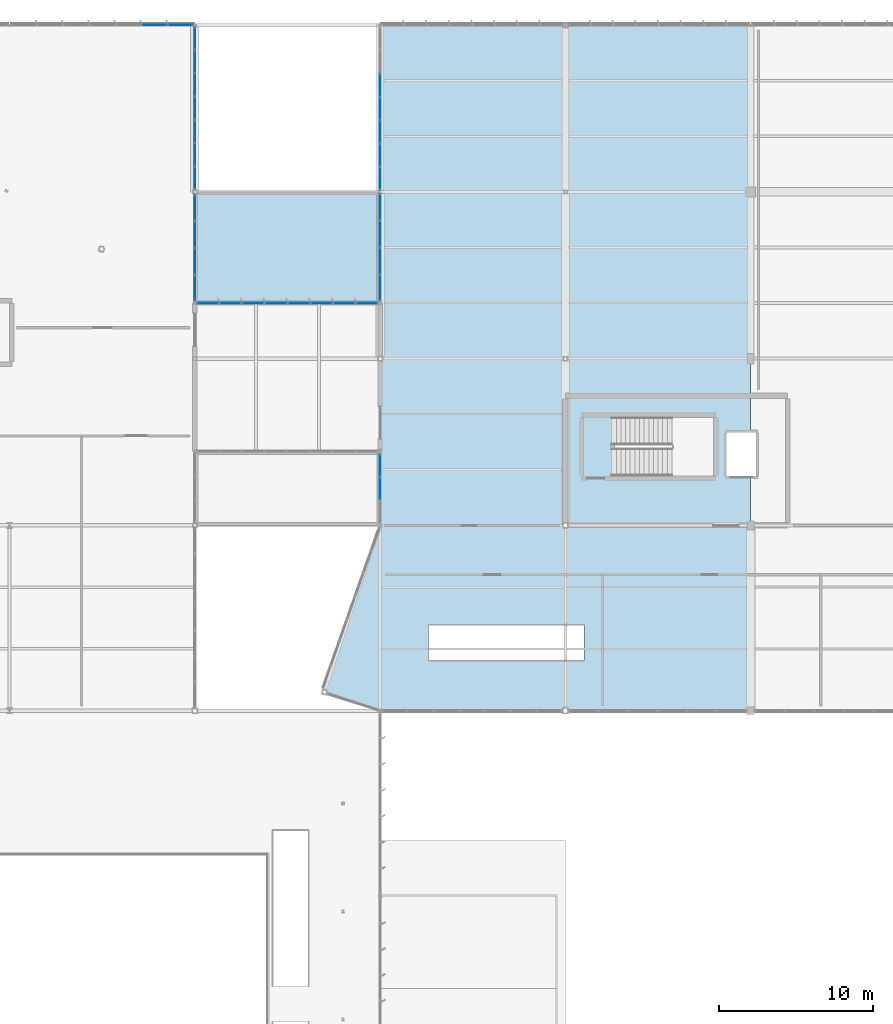
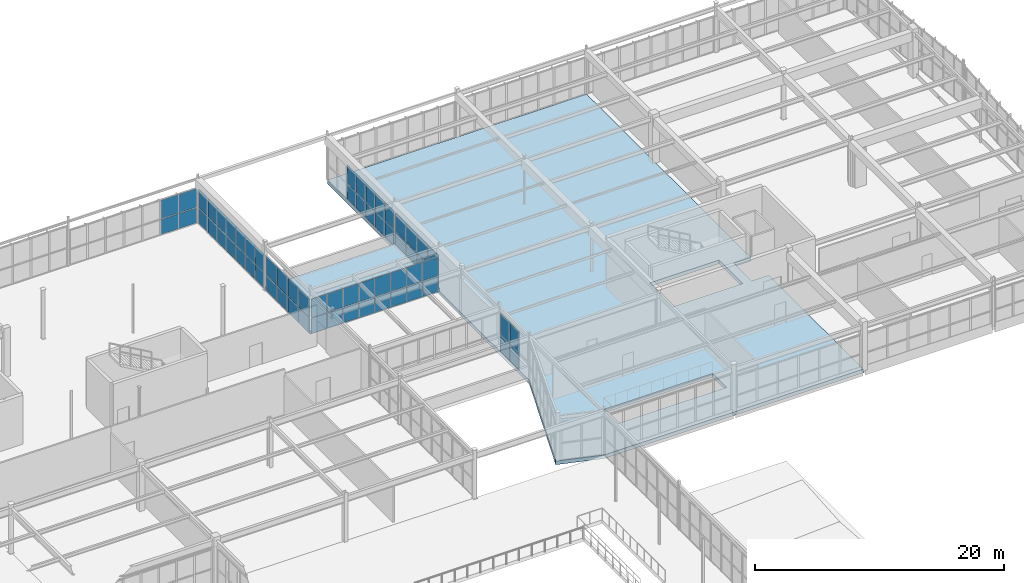
# One storey, part 150 of 226: 64 plates, 2 slabs, 7 elements without a shape of their own.
"""IFC4 building model written with IfcOpenShell, lengths in metres."""

from ifc_helpers import new_model, si_unit, direction, frame, origin, origin_2d, place, context, subcontext, project, spatial, polyline, rectangle, outline, extrude, material, layer, layer_set, type_object, element, aggregate, save


model = new_model("IFC4")

# Units and contexts
model_context = context("Model", 3, precision=1e-05, world=origin(), true_north=direction((0.0, 1.0)))
body_context = subcontext(model_context, "Body", "Model", "MODEL_VIEW")
ifc_project = project(units=[si_unit("LENGTHUNIT", "METRE"), si_unit("AREAUNIT", "SQUARE_METRE"), si_unit("VOLUMEUNIT", "CUBIC_METRE"), si_unit("PLANEANGLEUNIT", "RADIAN"), si_unit("MASSUNIT", "GRAM", prefix="KILO")], contexts=[model_context])

# Site, building, storey
site_placement = place(None, origin())
site = spatial("IfcSite", under=ifc_project, at=site_placement, CompositionType="ELEMENT")
building_placement = place(site_placement, origin())
building = spatial("IfcBuilding", under=site, at=building_placement, Name="Tarnwether General Hospital", CompositionType="ELEMENT")
storey_placement = place(building_placement, frame((0.0, 0.0, 4.800048828125)))
storey = spatial("IfcBuildingStorey", under=building, at=storey_placement, Name="L01", CompositionType="ELEMENT", Elevation=4.800048828125)

# Curtain wall, plates
ifc_material_1 = material(Name="Anodised aluminium", Category="aluminium")
ifc_layer_1 = layer(ifc_material_1, 0.159912109375)
ifc_layer_set_1 = layer_set([ifc_layer_1], Name="Anodised aluminium")
curtain_wall_type_1 = type_object("IfcCurtainWallType", Name="CW-14", PredefinedType="NOTDEFINED", material=ifc_layer_set_1)
curtain_wall_1_placement = place(storey_placement, origin())
curtain_wall_1 = element("IfcCurtainWall", 1, at=curtain_wall_1_placement, inside=storey, type_object=curtain_wall_type_1, Name="Curtain Wall CWG-L01-1201_1260-0328", PredefinedType="NOTDEFINED")
ifc_material_2 = material(Name="Double glazed low-E glass", Category="glass")
ifc_layer_2 = layer(ifc_material_2, 0.028076171875)
ifc_layer_set_2 = layer_set([ifc_layer_2], Name="Double glazed low-E glass")
plate_type = type_object("IfcPlateType", Name="PT-CWP1", PredefinedType="CURTAIN_PANEL", material=ifc_layer_set_2)
plate_1_placement = place(storey_placement, frame((129.377685546875, 126.0, 0.059814453125), z_axis=(0.0, 0.0, 1.0), x_axis=(1.0, 0.0, 0.0)))
plate_1 = element("IfcPlate", 2, at=plate_1_placement, type_object=plate_type, Name="CW-14 panel 6.1", PredefinedType="CURTAIN_PANEL", context=body_context, shape_type="SweptSolid", body=[
    extrude(rectangle(XDim=1.632080078125, YDim=0.028076171875, at=origin_2d()), origin(), (0.0, 0.0, 1.0), 1.47607421875),
])
plate_2_placement = place(storey_placement, frame((129.377685546875, 126.0, 1.59619140625), z_axis=(0.0, 0.0, 1.0), x_axis=(1.0, 0.0, 0.0)))
plate_2 = element("IfcPlate", 3, at=plate_2_placement, type_object=plate_type, Name="CW-14 panel 6.2", PredefinedType="CURTAIN_PANEL", context=body_context, shape_type="SweptSolid", body=[
    extrude(rectangle(XDim=1.632080078125, YDim=0.028076171875, at=origin_2d()), origin(), (0.0, 0.0, 1.0), 1.823974609375),
])
plate_3_placement = place(storey_placement, frame((131.054931640625, 126.0, 0.059814453125), z_axis=(0.0, 0.0, 1.0), x_axis=(1.0, 0.0, 0.0)))
plate_3 = element("IfcPlate", 4, at=plate_3_placement, type_object=plate_type, Name="CW-14 panel 7.1", PredefinedType="CURTAIN_PANEL", context=body_context, shape_type="SweptSolid", body=[
    extrude(rectangle(XDim=1.60205078125, YDim=0.028076171875, at=origin_2d()), origin(), (0.0, 0.0, 1.0), 1.47607421875),
])
plate_4_placement = place(storey_placement, frame((131.054931640625, 126.0, 1.59619140625), z_axis=(0.0, 0.0, 1.0), x_axis=(1.0, 0.0, 0.0)))
plate_4 = element("IfcPlate", 5, at=plate_4_placement, type_object=plate_type, Name="CW-14 panel 7.2", PredefinedType="CURTAIN_PANEL", context=body_context, shape_type="SweptSolid", body=[
    extrude(rectangle(XDim=1.60205078125, YDim=0.028076171875, at=origin_2d()), origin(), (0.0, 0.0, 1.0), 1.823974609375),
])
aggregate(curtain_wall_1, [plate_1, plate_2, plate_3, plate_4])

ifc_material_3 = material(Name="Anodised aluminium", Category="aluminium")
ifc_layer_3 = layer(ifc_material_3, 0.159912109375)
ifc_layer_set_3 = layer_set([ifc_layer_3], Name="Anodised aluminium")
curtain_wall_type_2 = type_object("IfcCurtainWallType", Name="CW-15", PredefinedType="NOTDEFINED", material=ifc_layer_set_3)
curtain_wall_2_placement = place(storey_placement, origin())
curtain_wall_2 = element("IfcCurtainWall", 6, at=curtain_wall_2_placement, inside=storey, type_object=curtain_wall_type_2, Name="Curtain Wall CWG-L01-1440_937-0374", PredefinedType="NOTDEFINED")
plate_5_placement = place(storey_placement, frame((144.0, 95.985107421875, 0.06005859375), z_axis=(0.0, 0.0, 1.0), x_axis=(0.0, 1.0, 0.0)))
plate_5 = element("IfcPlate", 7, at=plate_5_placement, type_object=plate_type, Name="CW-15 panel 2.1", PredefinedType="CURTAIN_PANEL", context=body_context, shape_type="SweptSolid", body=[
    extrude(rectangle(XDim=1.4599609375, YDim=0.028076171875, at=origin_2d()), origin(), (0.0, 0.0, 1.0), 1.628173828125),
])
plate_6_placement = place(storey_placement, frame((144.0, 95.985107421875, 1.748046875), z_axis=(0.0, 0.0, 1.0), x_axis=(0.0, 1.0, 0.0)))
plate_6 = element("IfcPlate", 8, at=plate_6_placement, type_object=plate_type, Name="CW-15 panel 2.2", PredefinedType="CURTAIN_PANEL", context=body_context, shape_type="SweptSolid", body=[
    extrude(rectangle(XDim=1.4599609375, YDim=0.028076171875, at=origin_2d()), origin(), (0.0, 0.0, 1.0), 2.010009765625),
])
plate_7_placement = place(storey_placement, frame((144.0, 97.489990234375, 0.06005859375), z_axis=(0.0, 0.0, 1.0), x_axis=(0.0, 1.0, 0.0)))
plate_7 = element("IfcPlate", 9, at=plate_7_placement, type_object=plate_type, Name="CW-15 panel 3.1", PredefinedType="CURTAIN_PANEL", context=body_context, shape_type="SweptSolid", body=[
    extrude(rectangle(XDim=1.429931640625, YDim=0.028076171875, at=origin_2d()), origin(), (0.0, 0.0, 1.0), 1.628173828125),
])
plate_8_placement = place(storey_placement, frame((144.0, 97.489990234375, 1.748046875), z_axis=(0.0, 0.0, 1.0), x_axis=(0.0, 1.0, 0.0)))
plate_8 = element("IfcPlate", 10, at=plate_8_placement, type_object=plate_type, Name="CW-15 panel 3.2", PredefinedType="CURTAIN_PANEL", context=body_context, shape_type="SweptSolid", body=[
    extrude(rectangle(XDim=1.429931640625, YDim=0.028076171875, at=origin_2d()), origin(), (0.0, 0.0, 1.0), 2.010009765625),
])
aggregate(curtain_wall_2, [plate_5, plate_6, plate_7, plate_8])

curtain_wall_3_placement = place(storey_placement, origin())
curtain_wall_3 = element("IfcCurtainWall", 11, at=curtain_wall_3_placement, inside=storey, type_object=curtain_wall_type_2, Name="Curtain Wall CWG-L01-1320_1259-0375", PredefinedType="NOTDEFINED")
plate_9_placement = place(storey_placement, frame((132.0, 125.14501953125, 0.059814453125), z_axis=(0.0, 0.0, 1.0), x_axis=(0.0, -1.0, 0.0)))
plate_9 = element("IfcPlate", 12, at=plate_9_placement, type_object=plate_type, Name="CW-15 panel 1.1", PredefinedType="CURTAIN_PANEL", context=body_context, shape_type="SweptSolid", body=[
    extrude(rectangle(XDim=1.421875, YDim=0.028076171875, at=origin_2d()), origin(), (0.0, 0.0, 1.0), 1.47607421875),
])
plate_10_placement = place(storey_placement, frame((132.0, 125.14501953125, 1.59619140625), z_axis=(0.0, 0.0, 1.0), x_axis=(0.0, -1.0, 0.0)))
plate_10 = element("IfcPlate", 13, at=plate_10_placement, type_object=plate_type, Name="CW-15 panel 1.2", PredefinedType="CURTAIN_PANEL", context=body_context, shape_type="SweptSolid", body=[
    extrude(rectangle(XDim=1.421875, YDim=0.028076171875, at=origin_2d()), origin(), (0.0, 0.0, 1.0), 1.823974609375),
])
plate_11_placement = place(storey_placement, frame((132.0, 123.648193359375, 0.059814453125), z_axis=(0.0, 0.0, 1.0), x_axis=(0.0, -1.0, 0.0)))
plate_11 = element("IfcPlate", 14, at=plate_11_placement, type_object=plate_type, Name="CW-15 panel 2.1", PredefinedType="CURTAIN_PANEL", context=body_context, shape_type="SweptSolid", body=[
    extrude(rectangle(XDim=1.451904296875, YDim=0.028076171875, at=origin_2d()), origin(), (0.0, 0.0, 1.0), 1.47607421875),
])
plate_12_placement = place(storey_placement, frame((132.0, 123.648193359375, 1.59619140625), z_axis=(0.0, 0.0, 1.0), x_axis=(0.0, -1.0, 0.0)))
plate_12 = element("IfcPlate", 15, at=plate_12_placement, type_object=plate_type, Name="CW-15 panel 2.2", PredefinedType="CURTAIN_PANEL", context=body_context, shape_type="SweptSolid", body=[
    extrude(rectangle(XDim=1.451904296875, YDim=0.028076171875, at=origin_2d()), origin(), (0.0, 0.0, 1.0), 1.823974609375),
])
plate_13_placement = place(storey_placement, frame((132.0, 122.136474609375, 0.059814453125), z_axis=(0.0, 0.0, 1.0), x_axis=(0.0, -1.0, 0.0)))
plate_13 = element("IfcPlate", 16, at=plate_13_placement, type_object=plate_type, Name="CW-15 panel 3.1", PredefinedType="CURTAIN_PANEL", context=body_context, shape_type="SweptSolid", body=[
    extrude(rectangle(XDim=1.451904296875, YDim=0.028076171875, at=origin_2d()), origin(), (0.0, 0.0, 1.0), 1.47607421875),
])
plate_14_placement = place(storey_placement, frame((132.0, 122.136474609375, 1.59619140625), z_axis=(0.0, 0.0, 1.0), x_axis=(0.0, -1.0, 0.0)))
plate_14 = element("IfcPlate", 17, at=plate_14_placement, type_object=plate_type, Name="CW-15 panel 3.2", PredefinedType="CURTAIN_PANEL", context=body_context, shape_type="SweptSolid", body=[
    extrude(rectangle(XDim=1.451904296875, YDim=0.028076171875, at=origin_2d()), origin(), (0.0, 0.0, 1.0), 1.823974609375),
])
plate_15_placement = place(storey_placement, frame((132.0, 120.62451171875, 0.059814453125), z_axis=(0.0, 0.0, 1.0), x_axis=(0.0, -1.0, 0.0)))
plate_15 = element("IfcPlate", 18, at=plate_15_placement, type_object=plate_type, Name="CW-15 panel 4.1", PredefinedType="CURTAIN_PANEL", context=body_context, shape_type="SweptSolid", body=[
    extrude(rectangle(XDim=1.451904296875, YDim=0.028076171875, at=origin_2d()), origin(), (0.0, 0.0, 1.0), 1.47607421875),
])
plate_16_placement = place(storey_placement, frame((132.0, 120.62451171875, 1.59619140625), z_axis=(0.0, 0.0, 1.0), x_axis=(0.0, -1.0, 0.0)))
plate_16 = element("IfcPlate", 19, at=plate_16_placement, type_object=plate_type, Name="CW-15 panel 4.2", PredefinedType="CURTAIN_PANEL", context=body_context, shape_type="SweptSolid", body=[
    extrude(rectangle(XDim=1.451904296875, YDim=0.028076171875, at=origin_2d()), origin(), (0.0, 0.0, 1.0), 1.823974609375),
])
plate_17_placement = place(storey_placement, frame((132.0, 119.112548828125, 0.059814453125), z_axis=(0.0, 0.0, 1.0), x_axis=(0.0, -1.0, 0.0)))
plate_17 = element("IfcPlate", 20, at=plate_17_placement, type_object=plate_type, Name="CW-15 panel 5.1", PredefinedType="CURTAIN_PANEL", context=body_context, shape_type="SweptSolid", body=[
    extrude(rectangle(XDim=1.451904296875, YDim=0.028076171875, at=origin_2d()), origin(), (0.0, 0.0, 1.0), 1.47607421875),
])
plate_18_placement = place(storey_placement, frame((132.0, 119.112548828125, 1.59619140625), z_axis=(0.0, 0.0, 1.0), x_axis=(0.0, -1.0, 0.0)))
plate_18 = element("IfcPlate", 21, at=plate_18_placement, type_object=plate_type, Name="CW-15 panel 5.2", PredefinedType="CURTAIN_PANEL", context=body_context, shape_type="SweptSolid", body=[
    extrude(rectangle(XDim=1.451904296875, YDim=0.028076171875, at=origin_2d()), origin(), (0.0, 0.0, 1.0), 1.823974609375),
])
plate_19_placement = place(storey_placement, frame((132.0, 117.600830078125, 0.059814453125), z_axis=(0.0, 0.0, 1.0), x_axis=(0.0, -1.0, 0.0)))
plate_19 = element("IfcPlate", 22, at=plate_19_placement, type_object=plate_type, Name="CW-15 panel 6.1", PredefinedType="CURTAIN_PANEL", context=body_context, shape_type="SweptSolid", body=[
    extrude(rectangle(XDim=1.451904296875, YDim=0.028076171875, at=origin_2d()), origin(), (0.0, 0.0, 1.0), 1.47607421875),
])
plate_20_placement = place(storey_placement, frame((132.0, 117.600830078125, 1.59619140625), z_axis=(0.0, 0.0, 1.0), x_axis=(0.0, -1.0, 0.0)))
plate_20 = element("IfcPlate", 23, at=plate_20_placement, type_object=plate_type, Name="CW-15 panel 6.2", PredefinedType="CURTAIN_PANEL", context=body_context, shape_type="SweptSolid", body=[
    extrude(rectangle(XDim=1.451904296875, YDim=0.028076171875, at=origin_2d()), origin(), (0.0, 0.0, 1.0), 1.823974609375),
])
plate_21_placement = place(storey_placement, frame((132.0, 116.10400390625, 0.059814453125), z_axis=(0.0, 0.0, 1.0), x_axis=(0.0, -1.0, 0.0)))
plate_21 = element("IfcPlate", 24, at=plate_21_placement, type_object=plate_type, Name="CW-15 panel 7.1", PredefinedType="CURTAIN_PANEL", context=body_context, shape_type="SweptSolid", body=[
    extrude(rectangle(XDim=1.421875, YDim=0.028076171875, at=origin_2d()), origin(), (0.0, 0.0, 1.0), 1.47607421875),
])
plate_22_placement = place(storey_placement, frame((132.0, 116.10400390625, 1.59619140625), z_axis=(0.0, 0.0, 1.0), x_axis=(0.0, -1.0, 0.0)))
plate_22 = element("IfcPlate", 25, at=plate_22_placement, type_object=plate_type, Name="CW-15 panel 7.2", PredefinedType="CURTAIN_PANEL", context=body_context, shape_type="SweptSolid", body=[
    extrude(rectangle(XDim=1.421875, YDim=0.028076171875, at=origin_2d()), origin(), (0.0, 0.0, 1.0), 1.823974609375),
])
aggregate(curtain_wall_3, [plate_9, plate_10, plate_11, plate_12, plate_13, plate_14, plate_15, plate_16, plate_17, plate_18, plate_19, plate_20, plate_21, plate_22])

curtain_wall_4_placement = place(storey_placement, origin())
curtain_wall_4 = element("IfcCurtainWall", 26, at=curtain_wall_4_placement, inside=storey, type_object=curtain_wall_type_2, Name="Curtain Wall CWG-L01-1320_1151-0376", PredefinedType="NOTDEFINED")
plate_23_placement = place(storey_placement, frame((132.0, 114.178955078125, 0.059814453125), z_axis=(0.0, 0.0, 1.0), x_axis=(0.0, -1.0, 0.0)))
plate_23 = element("IfcPlate", 27, at=plate_23_placement, type_object=plate_type, Name="CW-15 panel 1.1", PredefinedType="CURTAIN_PANEL", context=body_context, shape_type="SweptSolid", body=[
    extrude(rectangle(XDim=1.656005859375, YDim=0.028076171875, at=origin_2d()), origin(), (0.0, 0.0, 1.0), 1.47607421875),
])
plate_24_placement = place(storey_placement, frame((132.0, 114.178955078125, 1.59619140625), z_axis=(0.0, 0.0, 1.0), x_axis=(0.0, -1.0, 0.0)))
plate_24 = element("IfcPlate", 28, at=plate_24_placement, type_object=plate_type, Name="CW-15 panel 1.2", PredefinedType="CURTAIN_PANEL", context=body_context, shape_type="SweptSolid", body=[
    extrude(rectangle(XDim=1.656005859375, YDim=0.028076171875, at=origin_2d()), origin(), (0.0, 0.0, 1.0), 1.823974609375),
])
plate_25_placement = place(storey_placement, frame((132.0, 112.447998046875, 0.059814453125), z_axis=(0.0, 0.0, 1.0), x_axis=(0.0, -1.0, 0.0)))
plate_25 = element("IfcPlate", 29, at=plate_25_placement, type_object=plate_type, Name="CW-15 panel 2.1", PredefinedType="CURTAIN_PANEL", context=body_context, shape_type="SweptSolid", body=[
    extrude(rectangle(XDim=1.68603515625, YDim=0.028076171875, at=origin_2d()), origin(), (0.0, 0.0, 1.0), 1.47607421875),
])
plate_26_placement = place(storey_placement, frame((132.0, 112.447998046875, 1.59619140625), z_axis=(0.0, 0.0, 1.0), x_axis=(0.0, -1.0, 0.0)))
plate_26 = element("IfcPlate", 30, at=plate_26_placement, type_object=plate_type, Name="CW-15 panel 2.2", PredefinedType="CURTAIN_PANEL", context=body_context, shape_type="SweptSolid", body=[
    extrude(rectangle(XDim=1.68603515625, YDim=0.028076171875, at=origin_2d()), origin(), (0.0, 0.0, 1.0), 1.823974609375),
])
plate_27_placement = place(storey_placement, frame((132.0, 110.701904296875, 0.059814453125), z_axis=(0.0, 0.0, 1.0), x_axis=(0.0, -1.0, 0.0)))
plate_27 = element("IfcPlate", 31, at=plate_27_placement, type_object=plate_type, Name="CW-15 panel 3.1", PredefinedType="CURTAIN_PANEL", context=body_context, shape_type="SweptSolid", body=[
    extrude(rectangle(XDim=1.68603515625, YDim=0.028076171875, at=origin_2d()), origin(), (0.0, 0.0, 1.0), 1.47607421875),
])
plate_28_placement = place(storey_placement, frame((132.0, 110.701904296875, 1.59619140625), z_axis=(0.0, 0.0, 1.0), x_axis=(0.0, -1.0, 0.0)))
plate_28 = element("IfcPlate", 32, at=plate_28_placement, type_object=plate_type, Name="CW-15 panel 3.2", PredefinedType="CURTAIN_PANEL", context=body_context, shape_type="SweptSolid", body=[
    extrude(rectangle(XDim=1.68603515625, YDim=0.028076171875, at=origin_2d()), origin(), (0.0, 0.0, 1.0), 1.823974609375),
])
plate_29_placement = place(storey_placement, frame((132.0, 108.970947265625, 0.059814453125), z_axis=(0.0, 0.0, 1.0), x_axis=(0.0, -1.0, 0.0)))
plate_29 = element("IfcPlate", 33, at=plate_29_placement, type_object=plate_type, Name="CW-15 panel 4.1", PredefinedType="CURTAIN_PANEL", context=body_context, shape_type="SweptSolid", body=[
    extrude(rectangle(XDim=1.656005859375, YDim=0.028076171875, at=origin_2d()), origin(), (0.0, 0.0, 1.0), 1.47607421875),
])
plate_30_placement = place(storey_placement, frame((132.0, 108.970947265625, 1.59619140625), z_axis=(0.0, 0.0, 1.0), x_axis=(0.0, -1.0, 0.0)))
plate_30 = element("IfcPlate", 34, at=plate_30_placement, type_object=plate_type, Name="CW-15 panel 4.2", PredefinedType="CURTAIN_PANEL", context=body_context, shape_type="SweptSolid", body=[
    extrude(rectangle(XDim=1.656005859375, YDim=0.028076171875, at=origin_2d()), origin(), (0.0, 0.0, 1.0), 1.823974609375),
])
aggregate(curtain_wall_4, [plate_23, plate_24, plate_25, plate_26, plate_27, plate_28, plate_29, plate_30])

curtain_wall_5_placement = place(storey_placement, origin())
curtain_wall_5 = element("IfcCurtainWall", 35, at=curtain_wall_5_placement, inside=storey, type_object=curtain_wall_type_2, Name="Curtain Wall CWG-L01-1440_1081-0377", PredefinedType="NOTDEFINED")
plate_31_placement = place(storey_placement, frame((144.0, 109.0029296875, 0.059814453125), z_axis=(0.0, 0.0, 1.0), x_axis=(0.0, 1.0, 0.0)))
plate_31 = element("IfcPlate", 36, at=plate_31_placement, type_object=plate_type, Name="CW-15 panel 1.1", PredefinedType="CURTAIN_PANEL", context=body_context, shape_type="SweptSolid", body=[
    extrude(rectangle(XDim=1.659912109375, YDim=0.028076171875, at=origin_2d()), origin(), (0.0, 0.0, 1.0), 1.47607421875),
])
plate_32_placement = place(storey_placement, frame((144.0, 109.0029296875, 1.59619140625), z_axis=(0.0, 0.0, 1.0), x_axis=(0.0, 1.0, 0.0)))
plate_32 = element("IfcPlate", 37, at=plate_32_placement, type_object=plate_type, Name="CW-15 panel 1.2", PredefinedType="CURTAIN_PANEL", context=body_context, shape_type="SweptSolid", body=[
    extrude(rectangle(XDim=1.659912109375, YDim=0.028076171875, at=origin_2d()), origin(), (0.0, 0.0, 1.0), 1.823974609375),
])
plate_33_placement = place(storey_placement, frame((144.0, 110.738037109375, 0.059814453125), z_axis=(0.0, 0.0, 1.0), x_axis=(0.0, 1.0, 0.0)))
plate_33 = element("IfcPlate", 38, at=plate_33_placement, type_object=plate_type, Name="CW-15 panel 2.1", PredefinedType="CURTAIN_PANEL", context=body_context, shape_type="SweptSolid", body=[
    extrude(rectangle(XDim=1.68994140625, YDim=0.028076171875, at=origin_2d()), origin(), (0.0, 0.0, 1.0), 1.47607421875),
])
plate_34_placement = place(storey_placement, frame((144.0, 110.738037109375, 1.59619140625), z_axis=(0.0, 0.0, 1.0), x_axis=(0.0, 1.0, 0.0)))
plate_34 = element("IfcPlate", 39, at=plate_34_placement, type_object=plate_type, Name="CW-15 panel 2.2", PredefinedType="CURTAIN_PANEL", context=body_context, shape_type="SweptSolid", body=[
    extrude(rectangle(XDim=1.68994140625, YDim=0.028076171875, at=origin_2d()), origin(), (0.0, 0.0, 1.0), 1.823974609375),
])
plate_35_placement = place(storey_placement, frame((144.0, 112.488037109375, 0.059814453125), z_axis=(0.0, 0.0, 1.0), x_axis=(0.0, 1.0, 0.0)))
plate_35 = element("IfcPlate", 40, at=plate_35_placement, type_object=plate_type, Name="CW-15 panel 3.1", PredefinedType="CURTAIN_PANEL", context=body_context, shape_type="SweptSolid", body=[
    extrude(rectangle(XDim=1.68994140625, YDim=0.028076171875, at=origin_2d()), origin(), (0.0, 0.0, 1.0), 1.47607421875),
])
plate_36_placement = place(storey_placement, frame((144.0, 112.488037109375, 1.59619140625), z_axis=(0.0, 0.0, 1.0), x_axis=(0.0, 1.0, 0.0)))
plate_36 = element("IfcPlate", 41, at=plate_36_placement, type_object=plate_type, Name="CW-15 panel 3.2", PredefinedType="CURTAIN_PANEL", context=body_context, shape_type="SweptSolid", body=[
    extrude(rectangle(XDim=1.68994140625, YDim=0.028076171875, at=origin_2d()), origin(), (0.0, 0.0, 1.0), 1.823974609375),
])
plate_37_placement = place(storey_placement, frame((144.0, 114.222900390625, 0.059814453125), z_axis=(0.0, 0.0, 1.0), x_axis=(0.0, 1.0, 0.0)))
plate_37 = element("IfcPlate", 42, at=plate_37_placement, type_object=plate_type, Name="CW-15 panel 4.1", PredefinedType="CURTAIN_PANEL", context=body_context, shape_type="SweptSolid", body=[
    extrude(rectangle(XDim=1.659912109375, YDim=0.028076171875, at=origin_2d()), origin(), (0.0, 0.0, 1.0), 1.47607421875),
])
plate_38_placement = place(storey_placement, frame((144.0, 114.222900390625, 1.59619140625), z_axis=(0.0, 0.0, 1.0), x_axis=(0.0, 1.0, 0.0)))
plate_38 = element("IfcPlate", 43, at=plate_38_placement, type_object=plate_type, Name="CW-15 panel 4.2", PredefinedType="CURTAIN_PANEL", context=body_context, shape_type="SweptSolid", body=[
    extrude(rectangle(XDim=1.659912109375, YDim=0.028076171875, at=origin_2d()), origin(), (0.0, 0.0, 1.0), 1.823974609375),
])
aggregate(curtain_wall_5, [plate_31, plate_32, plate_33, plate_34, plate_35, plate_36, plate_37, plate_38])

curtain_wall_6_placement = place(storey_placement, origin())
curtain_wall_6 = element("IfcCurtainWall", 44, at=curtain_wall_6_placement, inside=storey, type_object=curtain_wall_type_2, Name="Curtain Wall CWG-L01-1440_1153-0378", PredefinedType="NOTDEFINED")
plate_39_placement = place(storey_placement, frame((144.0, 116.061279296875, 0.059814453125), z_axis=(0.0, 0.0, 1.0), x_axis=(0.0, 1.0, 0.0)))
plate_39 = element("IfcPlate", 45, at=plate_39_placement, type_object=plate_type, Name="CW-15 panel 1.1", PredefinedType="CURTAIN_PANEL", context=body_context, shape_type="SweptSolid", body=[
    extrude(rectangle(XDim=1.428466796875, YDim=0.028076171875, at=origin_2d()), origin(), (0.0, 0.0, 1.0), 1.47607421875),
])
plate_40_placement = place(storey_placement, frame((144.0, 116.061279296875, 1.59619140625), z_axis=(0.0, 0.0, 1.0), x_axis=(0.0, 1.0, 0.0)))
plate_40 = element("IfcPlate", 46, at=plate_40_placement, type_object=plate_type, Name="CW-15 panel 1.2", PredefinedType="CURTAIN_PANEL", context=body_context, shape_type="SweptSolid", body=[
    extrude(rectangle(XDim=1.428466796875, YDim=0.028076171875, at=origin_2d()), origin(), (0.0, 0.0, 1.0), 1.823974609375),
])
plate_41_placement = place(storey_placement, frame((144.0, 117.564697265625, 0.059814453125), z_axis=(0.0, 0.0, 1.0), x_axis=(0.0, 1.0, 0.0)))
plate_41 = element("IfcPlate", 47, at=plate_41_placement, type_object=plate_type, Name="CW-15 panel 2.1", PredefinedType="CURTAIN_PANEL", context=body_context, shape_type="SweptSolid", body=[
    extrude(rectangle(XDim=1.45849609375, YDim=0.028076171875, at=origin_2d()), origin(), (0.0, 0.0, 1.0), 1.47607421875),
])
plate_42_placement = place(storey_placement, frame((144.0, 117.564697265625, 1.59619140625), z_axis=(0.0, 0.0, 1.0), x_axis=(0.0, 1.0, 0.0)))
plate_42 = element("IfcPlate", 48, at=plate_42_placement, type_object=plate_type, Name="CW-15 panel 2.2", PredefinedType="CURTAIN_PANEL", context=body_context, shape_type="SweptSolid", body=[
    extrude(rectangle(XDim=1.45849609375, YDim=0.028076171875, at=origin_2d()), origin(), (0.0, 0.0, 1.0), 1.823974609375),
])
plate_43_placement = place(storey_placement, frame((144.0, 119.0830078125, 0.059814453125), z_axis=(0.0, 0.0, 1.0), x_axis=(0.0, 1.0, 0.0)))
plate_43 = element("IfcPlate", 49, at=plate_43_placement, type_object=plate_type, Name="CW-15 panel 3.1", PredefinedType="CURTAIN_PANEL", context=body_context, shape_type="SweptSolid", body=[
    extrude(rectangle(XDim=1.45849609375, YDim=0.028076171875, at=origin_2d()), origin(), (0.0, 0.0, 1.0), 1.47607421875),
])
plate_44_placement = place(storey_placement, frame((144.0, 119.0830078125, 1.59619140625), z_axis=(0.0, 0.0, 1.0), x_axis=(0.0, 1.0, 0.0)))
plate_44 = element("IfcPlate", 50, at=plate_44_placement, type_object=plate_type, Name="CW-15 panel 3.2", PredefinedType="CURTAIN_PANEL", context=body_context, shape_type="SweptSolid", body=[
    extrude(rectangle(XDim=1.45849609375, YDim=0.028076171875, at=origin_2d()), origin(), (0.0, 0.0, 1.0), 1.823974609375),
])
plate_45_placement = place(storey_placement, frame((144.0, 120.6015625, 0.059814453125), z_axis=(0.0, 0.0, 1.0), x_axis=(0.0, 1.0, 0.0)))
plate_45 = element("IfcPlate", 51, at=plate_45_placement, type_object=plate_type, Name="CW-15 panel 4.1", PredefinedType="CURTAIN_PANEL", context=body_context, shape_type="SweptSolid", body=[
    extrude(rectangle(XDim=1.45849609375, YDim=0.028076171875, at=origin_2d()), origin(), (0.0, 0.0, 1.0), 1.47607421875),
])
plate_46_placement = place(storey_placement, frame((144.0, 120.6015625, 1.59619140625), z_axis=(0.0, 0.0, 1.0), x_axis=(0.0, 1.0, 0.0)))
plate_46 = element("IfcPlate", 52, at=plate_46_placement, type_object=plate_type, Name="CW-15 panel 4.2", PredefinedType="CURTAIN_PANEL", context=body_context, shape_type="SweptSolid", body=[
    extrude(rectangle(XDim=1.45849609375, YDim=0.028076171875, at=origin_2d()), origin(), (0.0, 0.0, 1.0), 1.823974609375),
])
plate_47_placement = place(storey_placement, frame((144.0, 122.119873046875, 0.059814453125), z_axis=(0.0, 0.0, 1.0), x_axis=(0.0, 1.0, 0.0)))
plate_47 = element("IfcPlate", 53, at=plate_47_placement, type_object=plate_type, Name="CW-15 panel 5.1", PredefinedType="CURTAIN_PANEL", context=body_context, shape_type="SweptSolid", body=[
    extrude(rectangle(XDim=1.45849609375, YDim=0.028076171875, at=origin_2d()), origin(), (0.0, 0.0, 1.0), 1.47607421875),
])
plate_48_placement = place(storey_placement, frame((144.0, 122.119873046875, 1.59619140625), z_axis=(0.0, 0.0, 1.0), x_axis=(0.0, 1.0, 0.0)))
plate_48 = element("IfcPlate", 54, at=plate_48_placement, type_object=plate_type, Name="CW-15 panel 5.2", PredefinedType="CURTAIN_PANEL", context=body_context, shape_type="SweptSolid", body=[
    extrude(rectangle(XDim=1.45849609375, YDim=0.028076171875, at=origin_2d()), origin(), (0.0, 0.0, 1.0), 1.823974609375),
])
aggregate(curtain_wall_6, [plate_39, plate_40, plate_41, plate_42, plate_43, plate_44, plate_45, plate_46, plate_47, plate_48])

ifc_material_4 = material(Name="Anodised aluminium", Category="aluminium")
ifc_layer_4 = layer(ifc_material_4, 0.159912109375)
ifc_layer_set_4 = layer_set([ifc_layer_4], Name="Anodised aluminium")
curtain_wall_type_3 = type_object("IfcCurtainWallType", Name="CW-21", PredefinedType="NOTDEFINED", material=ifc_layer_set_4)
curtain_wall_7_placement = place(storey_placement, origin())
curtain_wall_7 = element("IfcCurtainWall", 55, at=curtain_wall_7_placement, inside=storey, type_object=curtain_wall_type_3, Name="Curtain Wall CWG-L01-1321_1080-0401", PredefinedType="NOTDEFINED")
plate_49_placement = place(storey_placement, frame((132.8359375, 108.0, 0.059814453125), z_axis=(0.0, 0.0, 1.0), x_axis=(1.0, 0.0, 0.0)))
plate_49 = element("IfcPlate", 56, at=plate_49_placement, type_object=plate_type, Name="CW-21 panel 1.1", PredefinedType="CURTAIN_PANEL", context=body_context, shape_type="SweptSolid", body=[
    extrude(rectangle(XDim=1.3857421875, YDim=0.028076171875, at=origin_2d()), origin(), (0.0, 0.0, 1.0), 1.47607421875),
])
plate_50_placement = place(storey_placement, frame((132.8359375, 108.0, 1.59619140625), z_axis=(0.0, 0.0, 1.0), x_axis=(1.0, 0.0, 0.0)))
plate_50 = element("IfcPlate", 57, at=plate_50_placement, type_object=plate_type, Name="CW-21 panel 1.2", PredefinedType="CURTAIN_PANEL", context=body_context, shape_type="SweptSolid", body=[
    extrude(rectangle(XDim=1.3857421875, YDim=0.028076171875, at=origin_2d()), origin(), (0.0, 0.0, 1.0), 1.823974609375),
])
plate_51_placement = place(storey_placement, frame((134.296630859375, 108.0, 0.059814453125), z_axis=(0.0, 0.0, 1.0), x_axis=(1.0, 0.0, 0.0)))
plate_51 = element("IfcPlate", 58, at=plate_51_placement, type_object=plate_type, Name="CW-21 panel 2.1", PredefinedType="CURTAIN_PANEL", context=body_context, shape_type="SweptSolid", body=[
    extrude(rectangle(XDim=1.415771484375, YDim=0.028076171875, at=origin_2d()), origin(), (0.0, 0.0, 1.0), 1.47607421875),
])
plate_52_placement = place(storey_placement, frame((134.296630859375, 108.0, 1.59619140625), z_axis=(0.0, 0.0, 1.0), x_axis=(1.0, 0.0, 0.0)))
plate_52 = element("IfcPlate", 59, at=plate_52_placement, type_object=plate_type, Name="CW-21 panel 2.2", PredefinedType="CURTAIN_PANEL", context=body_context, shape_type="SweptSolid", body=[
    extrude(rectangle(XDim=1.415771484375, YDim=0.028076171875, at=origin_2d()), origin(), (0.0, 0.0, 1.0), 1.823974609375),
])
plate_53_placement = place(storey_placement, frame((135.7724609375, 108.0, 0.059814453125), z_axis=(0.0, 0.0, 1.0), x_axis=(1.0, 0.0, 0.0)))
plate_53 = element("IfcPlate", 60, at=plate_53_placement, type_object=plate_type, Name="CW-21 panel 3.1", PredefinedType="CURTAIN_PANEL", context=body_context, shape_type="SweptSolid", body=[
    extrude(rectangle(XDim=1.415771484375, YDim=0.028076171875, at=origin_2d()), origin(), (0.0, 0.0, 1.0), 1.47607421875),
])
plate_54_placement = place(storey_placement, frame((135.7724609375, 108.0, 1.59619140625), z_axis=(0.0, 0.0, 1.0), x_axis=(1.0, 0.0, 0.0)))
plate_54 = element("IfcPlate", 61, at=plate_54_placement, type_object=plate_type, Name="CW-21 panel 3.2", PredefinedType="CURTAIN_PANEL", context=body_context, shape_type="SweptSolid", body=[
    extrude(rectangle(XDim=1.415771484375, YDim=0.028076171875, at=origin_2d()), origin(), (0.0, 0.0, 1.0), 1.823974609375),
])
plate_55_placement = place(storey_placement, frame((137.248046875, 108.0, 0.059814453125), z_axis=(0.0, 0.0, 1.0), x_axis=(1.0, 0.0, 0.0)))
plate_55 = element("IfcPlate", 62, at=plate_55_placement, type_object=plate_type, Name="CW-21 panel 4.1", PredefinedType="CURTAIN_PANEL", context=body_context, shape_type="SweptSolid", body=[
    extrude(rectangle(XDim=1.415771484375, YDim=0.028076171875, at=origin_2d()), origin(), (0.0, 0.0, 1.0), 1.47607421875),
])
plate_56_placement = place(storey_placement, frame((137.248046875, 108.0, 1.59619140625), z_axis=(0.0, 0.0, 1.0), x_axis=(1.0, 0.0, 0.0)))
plate_56 = element("IfcPlate", 63, at=plate_56_placement, type_object=plate_type, Name="CW-21 panel 4.2", PredefinedType="CURTAIN_PANEL", context=body_context, shape_type="SweptSolid", body=[
    extrude(rectangle(XDim=1.415771484375, YDim=0.028076171875, at=origin_2d()), origin(), (0.0, 0.0, 1.0), 1.823974609375),
])
plate_57_placement = place(storey_placement, frame((138.723876953125, 108.0, 0.059814453125), z_axis=(0.0, 0.0, 1.0), x_axis=(1.0, 0.0, 0.0)))
plate_57 = element("IfcPlate", 64, at=plate_57_placement, type_object=plate_type, Name="CW-21 panel 5.1", PredefinedType="CURTAIN_PANEL", context=body_context, shape_type="SweptSolid", body=[
    extrude(rectangle(XDim=1.415771484375, YDim=0.028076171875, at=origin_2d()), origin(), (0.0, 0.0, 1.0), 1.47607421875),
])
plate_58_placement = place(storey_placement, frame((138.723876953125, 108.0, 1.59619140625), z_axis=(0.0, 0.0, 1.0), x_axis=(1.0, 0.0, 0.0)))
plate_58 = element("IfcPlate", 65, at=plate_58_placement, type_object=plate_type, Name="CW-21 panel 5.2", PredefinedType="CURTAIN_PANEL", context=body_context, shape_type="SweptSolid", body=[
    extrude(rectangle(XDim=1.415771484375, YDim=0.028076171875, at=origin_2d()), origin(), (0.0, 0.0, 1.0), 1.823974609375),
])
plate_59_placement = place(storey_placement, frame((140.19970703125, 108.0, 0.059814453125), z_axis=(0.0, 0.0, 1.0), x_axis=(1.0, 0.0, 0.0)))
plate_59 = element("IfcPlate", 66, at=plate_59_placement, type_object=plate_type, Name="CW-21 panel 6.1", PredefinedType="CURTAIN_PANEL", context=body_context, shape_type="SweptSolid", body=[
    extrude(rectangle(XDim=1.415771484375, YDim=0.028076171875, at=origin_2d()), origin(), (0.0, 0.0, 1.0), 1.47607421875),
])
plate_60_placement = place(storey_placement, frame((140.19970703125, 108.0, 1.59619140625), z_axis=(0.0, 0.0, 1.0), x_axis=(1.0, 0.0, 0.0)))
plate_60 = element("IfcPlate", 67, at=plate_60_placement, type_object=plate_type, Name="CW-21 panel 6.2", PredefinedType="CURTAIN_PANEL", context=body_context, shape_type="SweptSolid", body=[
    extrude(rectangle(XDim=1.415771484375, YDim=0.028076171875, at=origin_2d()), origin(), (0.0, 0.0, 1.0), 1.823974609375),
])
plate_61_placement = place(storey_placement, frame((141.67529296875, 108.0, 0.059814453125), z_axis=(0.0, 0.0, 1.0), x_axis=(1.0, 0.0, 0.0)))
plate_61 = element("IfcPlate", 68, at=plate_61_placement, type_object=plate_type, Name="CW-21 panel 7.1", PredefinedType="CURTAIN_PANEL", context=body_context, shape_type="SweptSolid", body=[
    extrude(rectangle(XDim=1.415771484375, YDim=0.028076171875, at=origin_2d()), origin(), (0.0, 0.0, 1.0), 1.47607421875),
])
plate_62_placement = place(storey_placement, frame((141.67529296875, 108.0, 1.59619140625), z_axis=(0.0, 0.0, 1.0), x_axis=(1.0, 0.0, 0.0)))
plate_62 = element("IfcPlate", 69, at=plate_62_placement, type_object=plate_type, Name="CW-21 panel 7.2", PredefinedType="CURTAIN_PANEL", context=body_context, shape_type="SweptSolid", body=[
    extrude(rectangle(XDim=1.415771484375, YDim=0.028076171875, at=origin_2d()), origin(), (0.0, 0.0, 1.0), 1.823974609375),
])
plate_63_placement = place(storey_placement, frame((143.13623046875, 108.0, 0.059814453125), z_axis=(0.0, 0.0, 1.0), x_axis=(1.0, 0.0, 0.0)))
plate_63 = element("IfcPlate", 70, at=plate_63_placement, type_object=plate_type, Name="CW-21 panel 8.1", PredefinedType="CURTAIN_PANEL", context=body_context, shape_type="SweptSolid", body=[
    extrude(rectangle(XDim=1.3857421875, YDim=0.028076171875, at=origin_2d()), origin(), (0.0, 0.0, 1.0), 1.47607421875),
])
plate_64_placement = place(storey_placement, frame((143.13623046875, 108.0, 1.59619140625), z_axis=(0.0, 0.0, 1.0), x_axis=(1.0, 0.0, 0.0)))
plate_64 = element("IfcPlate", 71, at=plate_64_placement, type_object=plate_type, Name="CW-21 panel 8.2", PredefinedType="CURTAIN_PANEL", context=body_context, shape_type="SweptSolid", body=[
    extrude(rectangle(XDim=1.3857421875, YDim=0.028076171875, at=origin_2d()), origin(), (0.0, 0.0, 1.0), 1.823974609375),
])
aggregate(curtain_wall_7, [plate_49, plate_50, plate_51, plate_52, plate_53, plate_54, plate_55, plate_56, plate_57, plate_58, plate_59, plate_60, plate_61, plate_62, plate_63, plate_64])

# Slabs
ifc_material_5 = material(Name="Concrete 40 MPa", Category="concrete")
ifc_layer_5 = layer(ifc_material_5, 0.35498046875)
ifc_layer_set_5 = layer_set([ifc_layer_5], Name="Concrete 40 MPa")
slab_type_1 = type_object("IfcSlabType", Name="SL-FL220", PredefinedType="FLOOR", material=ifc_layer_set_5)
slab_1_placement = place(storey_placement, frame((0.0, 0.0, -0.35498046875)))
element("IfcSlab", 72, at=slab_1_placement, inside=storey, type_object=slab_type_1, Name="L01 Outpatient North-West Shard Floor SL-L01-V6N1", PredefinedType="FLOOR", context=body_context, shape_type="SweptSolid", body=[
    extrude(outline(polyline([(144.0, 126.0), (168.0, 126.0), (168.0, 99.6298828125), (166.419921875, 99.6298828125), (166.419921875, 96.77001953125), (168.0, 96.77001953125), (168.0, 81.60009765625), (144.0, 81.60009765625), (140.199951171875, 82.800048828125), (144.0, 93.60009765625), (144.0, 126.0)]), holes=[polyline([(159.179931640625, 100.60009765625), (159.179931640625, 96.800048828125), (165.60009765625, 96.800048828125), (165.60009765625, 100.60009765625), (159.179931640625, 100.60009765625)]), polyline([(157.219970703125, 84.8798828125), (157.219970703125, 87.1201171875), (147.179931640625, 87.1201171875), (147.179931640625, 84.8798828125), (157.219970703125, 84.8798828125)])]), origin(), (0.0, 0.0, 1.0), 0.35498046875),
])
ifc_material_6 = material(Name="Concrete 40 MPa", Category="concrete")
ifc_layer_6 = layer(ifc_material_6, 0.31005859375)
ifc_layer_set_6 = layer_set([ifc_layer_6], Name="Concrete 40 MPa")
slab_type_2 = type_object("IfcSlabType", Name="SL-RF160", PredefinedType="ROOF", material=ifc_layer_set_6)
slab_2_placement = place(storey_placement, origin())
element("IfcSlab", 73, at=slab_2_placement, inside=storey, type_object=slab_type_2, Name="North Public Passage Roof North SL-L01-PASRFN2", PredefinedType="ROOF", context=body_context, shape_type="SweptSolid", body=[
    extrude(outline(polyline([(144.0, 108.0), (144.0, 115.199951171875), (132.0, 115.199951171875), (132.0, 108.0), (144.0, 108.0)])), origin(), (0.0, 0.0, 1.0), 0.31005859375),
])

save(model, "model.ifc")
